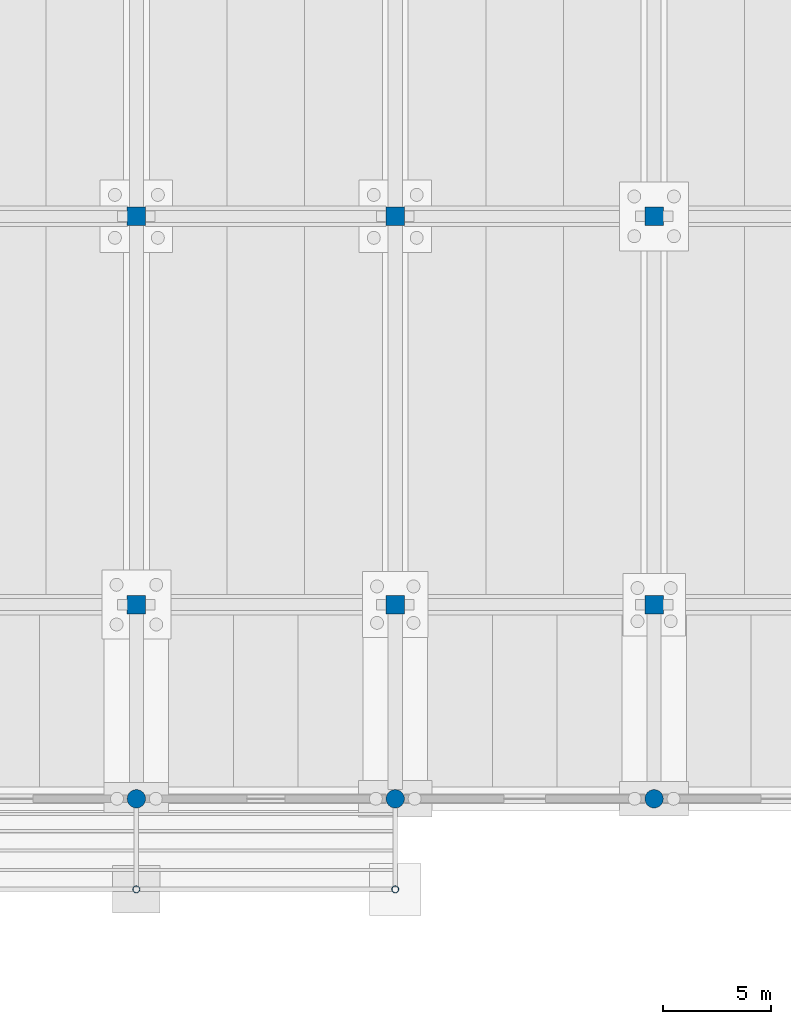
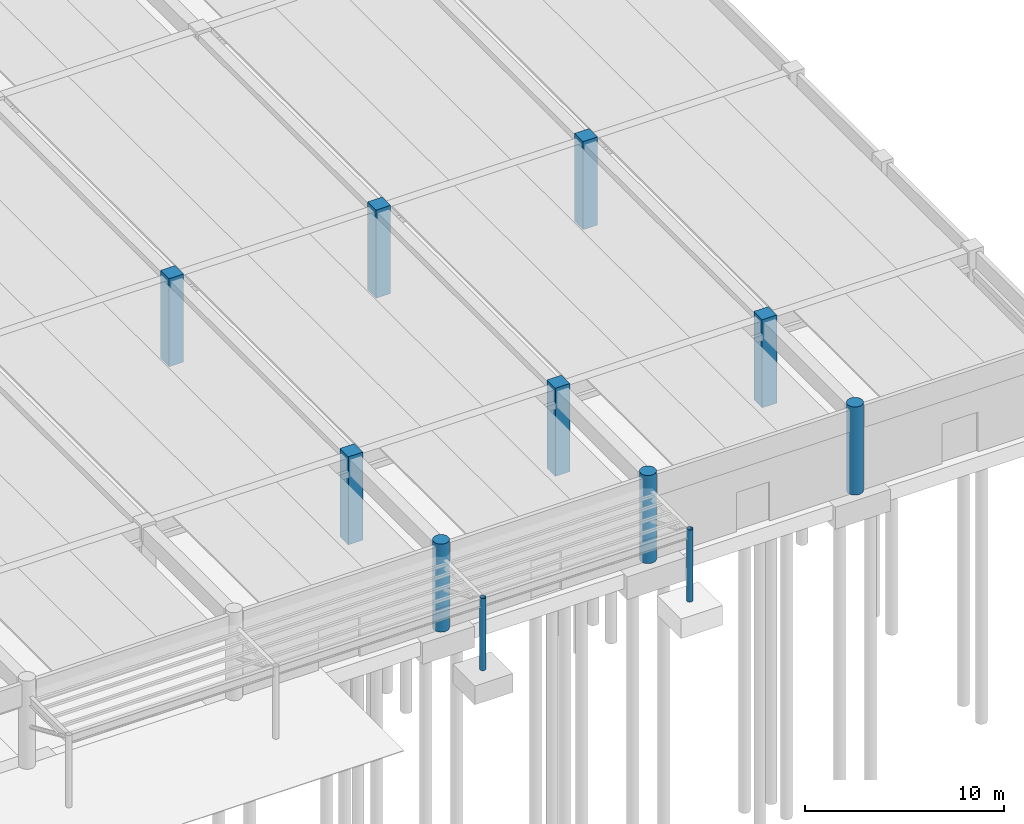
# One storey, part 11 of 59: 11 columns.
"""IFC4 building model written with IfcOpenShell, lengths in metres."""

from ifc_helpers import new_model, si_unit, direction, frame, origin, origin_2d, place, context, subcontext, project, spatial, rectangle, circle, hollow_circle, extrude, material, material_profile, profile_set, type_object, element, save


model = new_model("IFC4")

# Units and contexts
model_context = context("Model", 3, precision=1e-05, world=origin(), true_north=direction((0.0, 1.0)))
body_context = subcontext(model_context, "Body", "Model", "MODEL_VIEW")
ifc_project = project(units=[si_unit("LENGTHUNIT", "METRE"), si_unit("AREAUNIT", "SQUARE_METRE"), si_unit("VOLUMEUNIT", "CUBIC_METRE"), si_unit("PLANEANGLEUNIT", "RADIAN"), si_unit("MASSUNIT", "GRAM", prefix="KILO")], contexts=[model_context])

# Site, building, storey
site_placement = place(None, origin())
site = spatial("IfcSite", under=ifc_project, at=site_placement, CompositionType="ELEMENT")
building_placement = place(site_placement, origin())
building = spatial("IfcBuilding", under=site, at=building_placement, Name="Girod Span Mobility Hub", CompositionType="ELEMENT")
storey_placement = place(building_placement, origin())
storey = spatial("IfcBuildingStorey", under=building, at=storey_placement, Name="L00", CompositionType="ELEMENT", Elevation=0.0)

# Columns
ifc_material_1 = material(Name="Concrete C40/50", Category="concrete")
ifc_material_profile_1 = material_profile(ifc_material_1, rectangle(XDim=0.85009765625, YDim=0.85009765625, at=origin_2d()), Name="PC-COL-850X850")
ifc_profile_set_1 = profile_set([ifc_material_profile_1], Name="Concrete C40/50")
column_type_1 = type_object("IfcColumnType", Name="COL-PC-850X850", PredefinedType="COLUMN", material=ifc_profile_set_1)
for number, where, z_axis, x_axis, name in (
    (1, (132.0, 9.0, 0.0), (0.0, 0.0, 1.0), (1.0, 0.0, 0.0), "Column 12B L00"),
    (2, (132.0, 27.0, 0.0), (0.0, 0.0, 1.0), (1.0, 0.0, 0.0), "Column 12C L00"),
    (3, (144.0, 9.0, 0.0), (0.0, 0.0, 1.0), (1.0, 0.0, 0.0), "Column 13B L00"),
    (4, (144.0, 27.0, 0.0), (0.0, 0.0, 1.0), (1.0, 0.0, 0.0), "Column 13C L00"),
    (5, (156.0, 9.0, 0.0), (0.0, 0.0, 1.0), (1.0, 0.0, 0.0), "Column 14B L00"),
    (6, (156.0, 27.0, 0.0), (0.0, 0.0, 1.0), (1.0, 0.0, 0.0), "Column 14C L00"),
):
    element("IfcColumn", number, at=place(storey_placement, frame(where, z_axis=z_axis, x_axis=x_axis)), inside=storey, type_object=column_type_1, Name=name, PredefinedType="COLUMN", context=body_context, shape_type="SweptSolid", body=[
        extrude(rectangle(XDim=0.85009765625, YDim=0.85009765625, at=origin_2d()), origin(), (0.0, 0.0, 1.0), 5.39990234375),
    ])
ifc_material_2 = material(Name="Concrete C40/50", Category="concrete")
ifc_material_profile_2 = material_profile(ifc_material_2, circle(Radius=0.425048828125, at=origin_2d()), Name="PC-CIR-D850")
ifc_profile_set_2 = profile_set([ifc_material_profile_2], Name="Concrete C40/50")
column_type_2 = type_object("IfcColumnType", Name="COL-PC-D850", PredefinedType="COLUMN", material=ifc_profile_set_2)
for number, where, z_axis, x_axis, name in (
    (7, (132.0, 0.0, 0.0), (0.0, 0.0, 1.0), (1.0, 0.0, 0.0), "Column 12A L00"),
    (8, (144.0, 0.0, 0.0), (0.0, 0.0, 1.0), (1.0, 0.0, 0.0), "Column 13A L00"),
    (9, (156.0, 0.0, 0.0), (0.0, 0.0, 1.0), (1.0, 0.0, 0.0), "Column 14A L00"),
):
    element("IfcColumn", number, at=place(storey_placement, frame(where, z_axis=z_axis, x_axis=x_axis)), inside=storey, type_object=column_type_2, Name=name, PredefinedType="COLUMN", context=body_context, shape_type="SweptSolid", body=[
        extrude(circle(Radius=0.425048828125, at=origin_2d()), origin(), (0.0, 0.0, 1.0), 5.39990234375),
    ])
ifc_material_3 = material(Name="Steel HSS A500 Grade C", Category="steel")
ifc_material_profile_3 = material_profile(ifc_material_3, hollow_circle(Radius=0.162109375, WallThickness=0.01171875, at=origin_2d()), Name="HSS324X12.7")
ifc_profile_set_3 = profile_set([ifc_material_profile_3], Name="Steel HSS A500 Grade C")
column_type_3 = type_object("IfcColumnType", Name="COL-STL-HSS324", PredefinedType="COLUMN", material=ifc_profile_set_3)
for number, where, z_axis, x_axis, name in (
    (10, (132.0, -4.199951171875, 0.0), (0.0, 0.0, 1.0), (1.0, 0.0, 0.0), "Boulevard Canopy Column CN-7"),
    (11, (144.0, -4.199951171875, 0.0), (0.0, 0.0, 1.0), (1.0, 0.0, 0.0), "Boulevard Canopy Column CN-8"),
):
    element("IfcColumn", number, at=place(storey_placement, frame(where, z_axis=z_axis, x_axis=x_axis)), inside=storey, type_object=column_type_3, Name=name, PredefinedType="COLUMN", context=body_context, shape_type="SweptSolid", body=[
        extrude(hollow_circle(Radius=0.162109375, WallThickness=0.01171875, at=origin_2d()), origin(), (0.0, 0.0, 1.0), 4.419921875),
    ])

save(model, "model.ifc")
